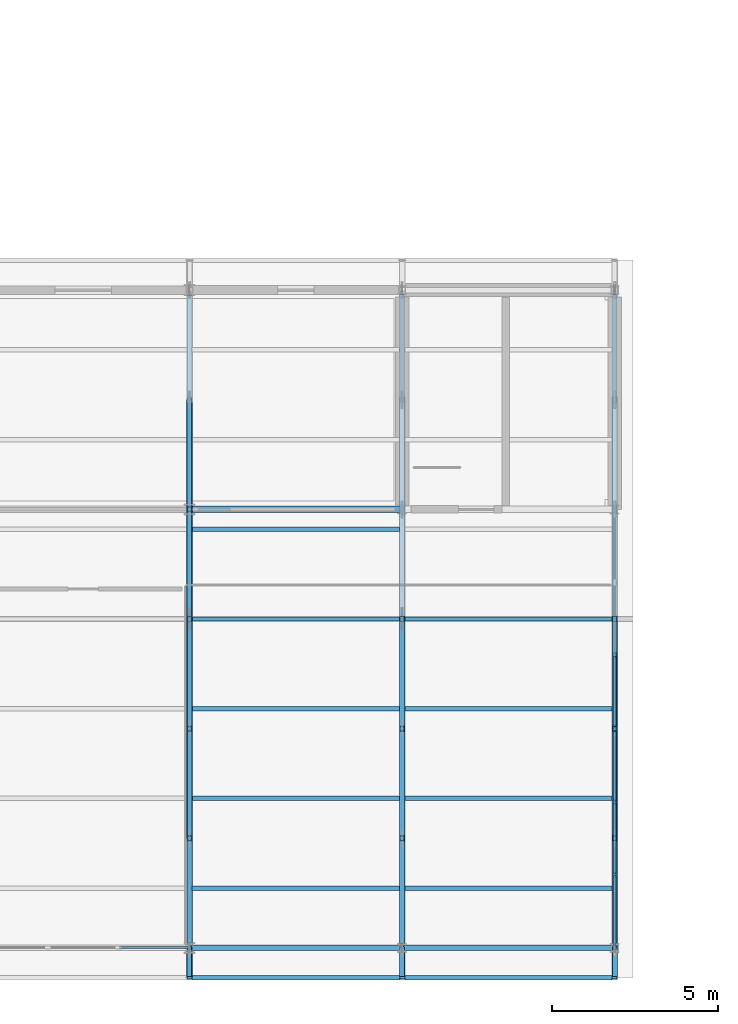
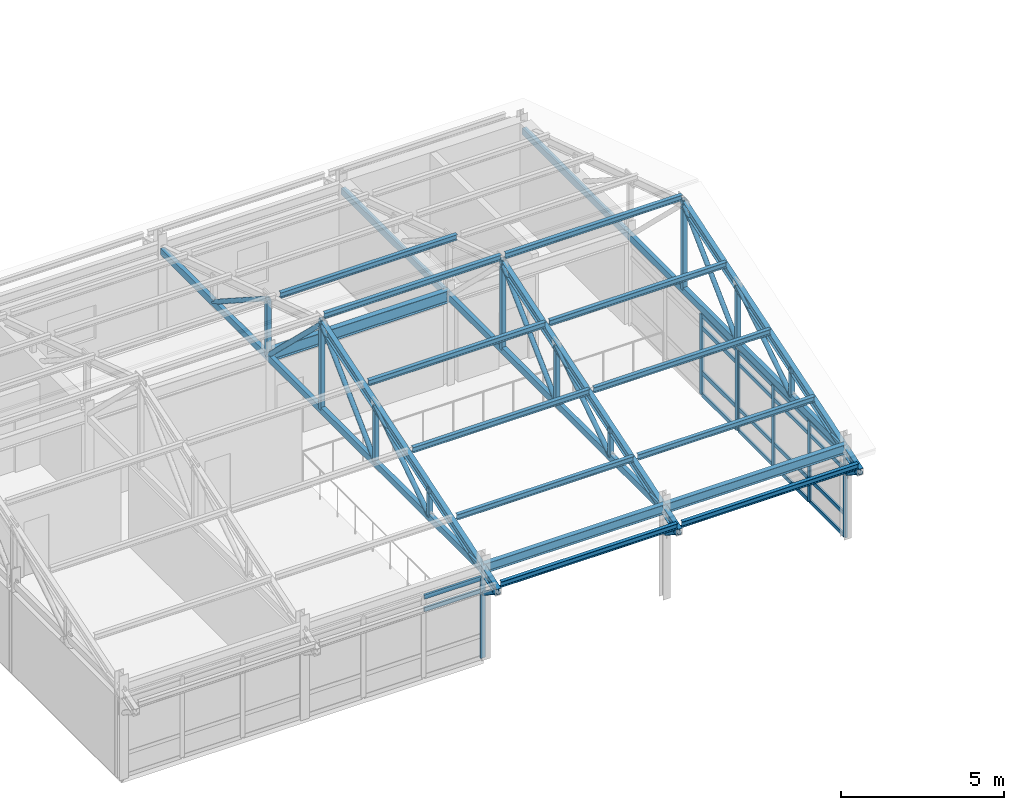
# One storey, part 14 of 57: 63 members, 3 beams, 3 elements without a shape of their own.
"""IFC4 building model written with IfcOpenShell, lengths in metres."""

from ifc_helpers import new_model, si_unit, direction, frame, origin, origin_2d, place, context, subcontext, project, spatial, rectangle, hollow_rectangle, hollow_circle, i_section, extrude, material, layer, layer_set, material_profile, profile_set, type_object, element, aggregate, save


model = new_model("IFC4")

# Units and contexts
model_context = context("Model", 3, precision=1e-05, world=origin(), true_north=direction((0.0, 1.0)))
body_context = subcontext(model_context, "Body", "Model", "MODEL_VIEW")
ifc_project = project(units=[si_unit("LENGTHUNIT", "METRE"), si_unit("AREAUNIT", "SQUARE_METRE"), si_unit("VOLUMEUNIT", "CUBIC_METRE"), si_unit("PLANEANGLEUNIT", "RADIAN"), si_unit("MASSUNIT", "GRAM", prefix="KILO")], contexts=[model_context])

# Site, building, storey
site_placement = place(None, origin())
site = spatial("IfcSite", under=ifc_project, at=site_placement, CompositionType="ELEMENT")
building_placement = place(site_placement, origin())
building = spatial("IfcBuilding", under=site, at=building_placement, Name="Trelmorton Wharf Fire Station", CompositionType="ELEMENT")
storey_placement = place(building_placement, frame((0.0, 0.0, 13.5)))
storey = spatial("IfcBuildingStorey", under=building, at=storey_placement, Name="L03", CompositionType="ELEMENT", Elevation=13.5)

# Beam
ifc_material_1 = material(Name="Steel Grade 350", Category="steel")
ifc_material_profile_1 = material_profile(ifc_material_1, i_section(OverallWidth=0.18994140625, OverallDepth=0.45703125, WebThickness=0.009033203125, FlangeThickness=0.014404296875, FilletRadius=0.011474609375, at=origin_2d()), Name="460UB74.6")
ifc_profile_set_1 = profile_set([ifc_material_profile_1], Name="Steel Grade 350")
beam_type_1 = type_object("IfcBeamType", Name="BM_460UB75", PredefinedType="BEAM", material=ifc_profile_set_1)
beam_1_placement = place(storey_placement, frame((70.803955078125, 21.0, 3.29150390625), z_axis=(1.0, 0.0, 0.0), x_axis=(0.0, 1.0, 0.0)))
element("IfcBeam", 1, at=beam_1_placement, inside=storey, type_object=beam_type_1, Name="BM-L03-0895", PredefinedType="BEAM", context=body_context, shape_type="SweptSolid", body=[
    extrude(i_section(OverallWidth=0.18994140625, OverallDepth=0.45703125, WebThickness=0.009033203125, FlangeThickness=0.014404296875, FilletRadius=0.011474609375, at=origin_2d()), origin(), (0.0, 0.0, 1.0), 6.39208984375),
])

# Curtain wall, members
ifc_material_2 = material(Name="Anodised aluminium AW-6063", Category="aluminium")
ifc_layer_1 = layer(ifc_material_2, 0.14990234375)
ifc_layer_set_1 = layer_set([ifc_layer_1], Name="Anodised aluminium AW-6063")
curtain_wall_type_1 = type_object("IfcCurtainWallType", Name="CW_UNIT_A", PredefinedType="USERDEFINED", material=ifc_layer_set_1)
curtain_wall_1_placement = place(storey_placement, origin())
curtain_wall_1 = element("IfcCurtainWall", 2, at=curtain_wall_1_placement, inside=storey, type_object=curtain_wall_type_1, Name="CW-V3-L03-027", ObjectType="UNITISED CURTAIN WALL", PredefinedType="USERDEFINED")
ifc_material_profile_2 = material_profile(ifc_material_2, rectangle(XDim=0.06494140625, YDim=0.159912109375, at=origin_2d()), Name="ALU-65x160")
ifc_profile_set_2 = profile_set([ifc_material_profile_2], Name="Anodised aluminium AW-6063")
member_type_1 = type_object("IfcMemberType", Name="CWM_65x160", PredefinedType="MULLION", material=ifc_profile_set_2)
member_1_placement = place(storey_placement, frame((83.60009765625, 14.364990234375, 0.0), z_axis=(0.0, 0.0, 1.0), x_axis=(1.0, 0.0, 0.0)))
member_1 = element("IfcMember", 3, at=member_1_placement, type_object=member_type_1, Name="CW3 mullion 1", PredefinedType="MULLION", context=body_context, shape_type="SweptSolid", body=[
    extrude(rectangle(XDim=0.06494140625, YDim=0.159912109375, at=origin_2d()), origin(), (0.0, 0.0, 1.0), 3.02001953125),
])
member_2_placement = place(storey_placement, frame((83.60009765625, 12.1982421875, 0.0), z_axis=(0.0, 0.0, 1.0), x_axis=(1.0, 0.0, 0.0)))
member_2 = element("IfcMember", 4, at=member_2_placement, type_object=member_type_1, Name="CW3 mullion 2", PredefinedType="MULLION", context=body_context, shape_type="SweptSolid", body=[
    extrude(rectangle(XDim=0.06494140625, YDim=0.159912109375, at=origin_2d()), origin(), (0.0, 0.0, 1.0), 3.02001953125),
])
member_3_placement = place(storey_placement, frame((83.60009765625, 10.001708984375, 0.0), z_axis=(0.0, 0.0, 1.0), x_axis=(1.0, 0.0, 0.0)))
member_3 = element("IfcMember", 5, at=member_3_placement, type_object=member_type_1, Name="CW3 mullion 3", PredefinedType="MULLION", context=body_context, shape_type="SweptSolid", body=[
    extrude(rectangle(XDim=0.06494140625, YDim=0.159912109375, at=origin_2d()), origin(), (0.0, 0.0, 1.0), 3.02001953125),
])
member_4_placement = place(storey_placement, frame((83.60009765625, 7.8349609375, 0.0), z_axis=(0.0, 0.0, 1.0), x_axis=(1.0, 0.0, 0.0)))
member_4 = element("IfcMember", 6, at=member_4_placement, type_object=member_type_1, Name="CW3 mullion 4", PredefinedType="MULLION", context=body_context, shape_type="SweptSolid", body=[
    extrude(rectangle(XDim=0.06494140625, YDim=0.159912109375, at=origin_2d()), origin(), (0.0, 0.0, 1.0), 3.02001953125),
])

# Curtain wall, member
ifc_layer_2 = layer(ifc_material_2, 0.159912109375)
ifc_layer_set_2 = layer_set([ifc_layer_2], Name="Anodised aluminium AW-6063")
curtain_wall_type_2 = type_object("IfcCurtainWallType", Name="CW_CHIC_A", PredefinedType="USERDEFINED", material=ifc_layer_set_2)
curtain_wall_2_placement = place(storey_placement, origin())
curtain_wall_2 = element("IfcCurtainWall", 7, at=curtain_wall_2_placement, inside=storey, type_object=curtain_wall_type_2, Name="CW-V3-L03-026", ObjectType="CHICAGO BAY CURTAIN WALL", PredefinedType="USERDEFINED")
ifc_material_profile_3 = material_profile(ifc_material_2, rectangle(XDim=0.074951171875, YDim=0.175048828125, at=origin_2d()), Name="ALU-75x175")
ifc_profile_set_3 = profile_set([ifc_material_profile_3], Name="Anodised aluminium AW-6063")
member_type_2 = type_object("IfcMemberType", Name="CWM_75x175", PredefinedType="MULLION", material=ifc_profile_set_3)
member_5_placement = place(storey_placement, frame((70.764892578125, 7.800048828125, 0.0), z_axis=(0.0, 0.0, 1.0), x_axis=(0.0, -1.0, 0.0)))
member_5 = element("IfcMember", 8, at=member_5_placement, type_object=member_type_2, Name="CW1 mullion 1", PredefinedType="MULLION", context=body_context, shape_type="SweptSolid", body=[
    extrude(rectangle(XDim=0.074951171875, YDim=0.175048828125, at=origin_2d()), origin(), (0.0, 0.0, 1.0), 3.02001953125),
])

# Curtain wall, members
curtain_wall_3_placement = place(storey_placement, origin())
curtain_wall_3 = element("IfcCurtainWall", 9, at=curtain_wall_3_placement, inside=storey, type_object=curtain_wall_type_1, Name="CW-V3-L03-028", ObjectType="UNITISED CURTAIN WALL", PredefinedType="USERDEFINED")
member_6_placement = place(storey_placement, frame((83.60009765625, 16.6015625, 0.0), z_axis=(0.0, 0.0, 1.0), x_axis=(1.0, 0.0, 0.0)))
member_6 = element("IfcMember", 10, at=member_6_placement, type_object=member_type_2, Name="CW3 mullion 3", PredefinedType="MULLION", context=body_context, shape_type="SweptSolid", body=[
    extrude(rectangle(XDim=0.074951171875, YDim=0.175048828125, at=origin_2d()), origin(), (0.0, 0.0, 1.0), 3.02001953125),
])
member_7_placement = place(storey_placement, frame((83.60009765625, 14.43505859375, 0.0), z_axis=(0.0, 0.0, 1.0), x_axis=(1.0, 0.0, 0.0)))
member_7 = element("IfcMember", 11, at=member_7_placement, type_object=member_type_2, Name="CW3 mullion 4", PredefinedType="MULLION", context=body_context, shape_type="SweptSolid", body=[
    extrude(rectangle(XDim=0.074951171875, YDim=0.175048828125, at=origin_2d()), origin(), (0.0, 0.0, 1.0), 3.02001953125),
])

# Member
ifc_material_profile_4 = material_profile(ifc_material_2, rectangle(XDim=0.06494140625, YDim=0.139892578125, at=origin_2d()), Name="ALU-65x140")
ifc_profile_set_4 = profile_set([ifc_material_profile_4], Name="Anodised aluminium AW-6063")
member_type_3 = type_object("IfcMemberType", Name="CWT_65x140", PredefinedType="USERDEFINED", material=ifc_profile_set_4)
member_8_placement = place(storey_placement, frame((83.60009765625, 14.3349609375, 0.030029296875), z_axis=(0.0, -1.0, 0.0), x_axis=(1.0, 0.0, 0.0)))
member_8 = element("IfcMember", 12, at=member_8_placement, type_object=member_type_3, Name="CW3 transom 1.1", ObjectType="TRANSOM", PredefinedType="USERDEFINED", context=body_context, shape_type="SweptSolid", body=[
    extrude(rectangle(XDim=0.06494140625, YDim=0.139892578125, at=origin_2d()), origin(), (0.0, 0.0, 1.0), 2.106689453125),
])

member_9_placement = place(storey_placement, frame((83.60009765625, 14.3349609375, 0.85009765625), z_axis=(0.0, -1.0, 0.0), x_axis=(1.0, 0.0, 0.0)))
member_9 = element("IfcMember", 13, at=member_9_placement, type_object=member_type_3, Name="CW3 transom 1.2", ObjectType="TRANSOM", PredefinedType="USERDEFINED", context=body_context, shape_type="SweptSolid", body=[
    extrude(rectangle(XDim=0.06494140625, YDim=0.139892578125, at=origin_2d()), origin(), (0.0, 0.0, 1.0), 2.106689453125),
])

member_10_placement = place(storey_placement, frame((83.60009765625, 14.3349609375, 2.52001953125), z_axis=(0.0, -1.0, 0.0), x_axis=(1.0, 0.0, 0.0)))
member_10 = element("IfcMember", 14, at=member_10_placement, type_object=member_type_3, Name="CW3 transom 1.3", ObjectType="TRANSOM", PredefinedType="USERDEFINED", context=body_context, shape_type="SweptSolid", body=[
    extrude(rectangle(XDim=0.06494140625, YDim=0.139892578125, at=origin_2d()), origin(), (0.0, 0.0, 1.0), 2.106689453125),
])

member_11_placement = place(storey_placement, frame((83.60009765625, 14.3349609375, 2.989990234375), z_axis=(0.0, -1.0, 0.0), x_axis=(1.0, 0.0, 0.0)))
member_11 = element("IfcMember", 15, at=member_11_placement, type_object=member_type_3, Name="CW3 transom 1.4", ObjectType="TRANSOM", PredefinedType="USERDEFINED", context=body_context, shape_type="SweptSolid", body=[
    extrude(rectangle(XDim=0.06494140625, YDim=0.139892578125, at=origin_2d()), origin(), (0.0, 0.0, 1.0), 2.106689453125),
])

member_12_placement = place(storey_placement, frame((83.60009765625, 12.168212890625, 0.030029296875), z_axis=(0.0, -1.0, 0.0), x_axis=(1.0, 0.0, 0.0)))
member_12 = element("IfcMember", 16, at=member_12_placement, type_object=member_type_3, Name="CW3 transom 2.1", ObjectType="TRANSOM", PredefinedType="USERDEFINED", context=body_context, shape_type="SweptSolid", body=[
    extrude(rectangle(XDim=0.06494140625, YDim=0.139892578125, at=origin_2d()), origin(), (0.0, 0.0, 1.0), 2.136474609375),
])

member_13_placement = place(storey_placement, frame((83.60009765625, 12.168212890625, 0.85009765625), z_axis=(0.0, -1.0, 0.0), x_axis=(1.0, 0.0, 0.0)))
member_13 = element("IfcMember", 17, at=member_13_placement, type_object=member_type_3, Name="CW3 transom 2.2", ObjectType="TRANSOM", PredefinedType="USERDEFINED", context=body_context, shape_type="SweptSolid", body=[
    extrude(rectangle(XDim=0.06494140625, YDim=0.139892578125, at=origin_2d()), origin(), (0.0, 0.0, 1.0), 2.136474609375),
])

member_14_placement = place(storey_placement, frame((83.60009765625, 12.168212890625, 2.52001953125), z_axis=(0.0, -1.0, 0.0), x_axis=(1.0, 0.0, 0.0)))
member_14 = element("IfcMember", 18, at=member_14_placement, type_object=member_type_3, Name="CW3 transom 2.3", ObjectType="TRANSOM", PredefinedType="USERDEFINED", context=body_context, shape_type="SweptSolid", body=[
    extrude(rectangle(XDim=0.06494140625, YDim=0.139892578125, at=origin_2d()), origin(), (0.0, 0.0, 1.0), 2.136474609375),
])

member_15_placement = place(storey_placement, frame((83.60009765625, 12.168212890625, 2.989990234375), z_axis=(0.0, -1.0, 0.0), x_axis=(1.0, 0.0, 0.0)))
member_15 = element("IfcMember", 19, at=member_15_placement, type_object=member_type_3, Name="CW3 transom 2.4", ObjectType="TRANSOM", PredefinedType="USERDEFINED", context=body_context, shape_type="SweptSolid", body=[
    extrude(rectangle(XDim=0.06494140625, YDim=0.139892578125, at=origin_2d()), origin(), (0.0, 0.0, 1.0), 2.136474609375),
])

member_16_placement = place(storey_placement, frame((83.60009765625, 9.9716796875, 0.030029296875), z_axis=(0.0, -1.0, 0.0), x_axis=(1.0, 0.0, 0.0)))
member_16 = element("IfcMember", 20, at=member_16_placement, type_object=member_type_3, Name="CW3 transom 3.1", ObjectType="TRANSOM", PredefinedType="USERDEFINED", context=body_context, shape_type="SweptSolid", body=[
    extrude(rectangle(XDim=0.06494140625, YDim=0.139892578125, at=origin_2d()), origin(), (0.0, 0.0, 1.0), 2.106689453125),
])

member_17_placement = place(storey_placement, frame((83.60009765625, 9.9716796875, 0.85009765625), z_axis=(0.0, -1.0, 0.0), x_axis=(1.0, 0.0, 0.0)))
member_17 = element("IfcMember", 21, at=member_17_placement, type_object=member_type_3, Name="CW3 transom 3.2", ObjectType="TRANSOM", PredefinedType="USERDEFINED", context=body_context, shape_type="SweptSolid", body=[
    extrude(rectangle(XDim=0.06494140625, YDim=0.139892578125, at=origin_2d()), origin(), (0.0, 0.0, 1.0), 2.106689453125),
])

member_18_placement = place(storey_placement, frame((83.60009765625, 9.9716796875, 2.52001953125), z_axis=(0.0, -1.0, 0.0), x_axis=(1.0, 0.0, 0.0)))
member_18 = element("IfcMember", 22, at=member_18_placement, type_object=member_type_3, Name="CW3 transom 3.3", ObjectType="TRANSOM", PredefinedType="USERDEFINED", context=body_context, shape_type="SweptSolid", body=[
    extrude(rectangle(XDim=0.06494140625, YDim=0.139892578125, at=origin_2d()), origin(), (0.0, 0.0, 1.0), 2.106689453125),
])

member_19_placement = place(storey_placement, frame((83.60009765625, 9.9716796875, 2.989990234375), z_axis=(0.0, -1.0, 0.0), x_axis=(1.0, 0.0, 0.0)))
member_19 = element("IfcMember", 23, at=member_19_placement, type_object=member_type_3, Name="CW3 transom 3.4", ObjectType="TRANSOM", PredefinedType="USERDEFINED", context=body_context, shape_type="SweptSolid", body=[
    extrude(rectangle(XDim=0.06494140625, YDim=0.139892578125, at=origin_2d()), origin(), (0.0, 0.0, 1.0), 2.106689453125),
])

aggregate(curtain_wall_1, [member_1, member_2, member_3, member_4, member_8, member_9, member_10, member_11, member_12, member_13, member_14, member_15, member_16, member_17, member_18, member_19])

ifc_material_profile_5 = material_profile(ifc_material_2, rectangle(XDim=0.074951171875, YDim=0.155029296875, at=origin_2d()), Name="ALU-75x155")
ifc_profile_set_5 = profile_set([ifc_material_profile_5], Name="Anodised aluminium AW-6063")
member_type_4 = type_object("IfcMemberType", Name="CWT_75x155", PredefinedType="USERDEFINED", material=ifc_profile_set_5)
member_20_placement = place(storey_placement, frame((70.735107421875, 7.800048828125, 2.52001953125), z_axis=(-1.0, 0.0, 0.0), x_axis=(0.0, -1.0, 0.0)))
member_20 = element("IfcMember", 24, at=member_20_placement, type_object=member_type_4, Name="CW1 transom 1.3", ObjectType="TRANSOM", PredefinedType="USERDEFINED", context=body_context, shape_type="SweptSolid", body=[
    extrude(rectangle(XDim=0.074951171875, YDim=0.155029296875, at=origin_2d()), origin(), (0.0, 0.0, 1.0), 2.0400390625),
])

member_21_placement = place(storey_placement, frame((70.735107421875, 7.800048828125, 2.989990234375), z_axis=(-1.0, 0.0, 0.0), x_axis=(0.0, -1.0, 0.0)))
member_21 = element("IfcMember", 25, at=member_21_placement, type_object=member_type_4, Name="CW1 transom 1.4", ObjectType="TRANSOM", PredefinedType="USERDEFINED", context=body_context, shape_type="SweptSolid", body=[
    extrude(rectangle(XDim=0.074951171875, YDim=0.155029296875, at=origin_2d()), origin(), (0.0, 0.0, 1.0), 2.0400390625),
])

aggregate(curtain_wall_2, [member_5, member_20, member_21])

member_22_placement = place(storey_placement, frame((83.60009765625, 16.57177734375, 0.030029296875), z_axis=(0.0, -1.0, 0.0), x_axis=(1.0, 0.0, 0.0)))
member_22 = element("IfcMember", 26, at=member_22_placement, type_object=member_type_4, Name="CW3 transom 3.1", ObjectType="TRANSOM", PredefinedType="USERDEFINED", context=body_context, shape_type="SweptSolid", body=[
    extrude(rectangle(XDim=0.074951171875, YDim=0.155029296875, at=origin_2d()), origin(), (0.0, 0.0, 1.0), 2.106689453125),
])

member_23_placement = place(storey_placement, frame((83.60009765625, 16.57177734375, 0.85009765625), z_axis=(0.0, -1.0, 0.0), x_axis=(1.0, 0.0, 0.0)))
member_23 = element("IfcMember", 27, at=member_23_placement, type_object=member_type_4, Name="CW3 transom 3.2", ObjectType="TRANSOM", PredefinedType="USERDEFINED", context=body_context, shape_type="SweptSolid", body=[
    extrude(rectangle(XDim=0.074951171875, YDim=0.155029296875, at=origin_2d()), origin(), (0.0, 0.0, 1.0), 2.106689453125),
])

member_24_placement = place(storey_placement, frame((83.60009765625, 16.57177734375, 2.52001953125), z_axis=(0.0, -1.0, 0.0), x_axis=(1.0, 0.0, 0.0)))
member_24 = element("IfcMember", 28, at=member_24_placement, type_object=member_type_4, Name="CW3 transom 3.3", ObjectType="TRANSOM", PredefinedType="USERDEFINED", context=body_context, shape_type="SweptSolid", body=[
    extrude(rectangle(XDim=0.074951171875, YDim=0.155029296875, at=origin_2d()), origin(), (0.0, 0.0, 1.0), 2.106689453125),
])

member_25_placement = place(storey_placement, frame((83.60009765625, 16.57177734375, 2.989990234375), z_axis=(0.0, -1.0, 0.0), x_axis=(1.0, 0.0, 0.0)))
member_25 = element("IfcMember", 29, at=member_25_placement, type_object=member_type_4, Name="CW3 transom 3.4", ObjectType="TRANSOM", PredefinedType="USERDEFINED", context=body_context, shape_type="SweptSolid", body=[
    extrude(rectangle(XDim=0.074951171875, YDim=0.155029296875, at=origin_2d()), origin(), (0.0, 0.0, 1.0), 2.106689453125),
])

aggregate(curtain_wall_3, [member_6, member_7, member_22, member_23, member_24, member_25])

# Members
ifc_material_3 = material(Name="Steel Grade 300 (300 MPa)", Category="steel")
ifc_material_profile_6 = material_profile(ifc_material_3, i_section(OverallWidth=0.134033203125, OverallDepth=0.20703125, WebThickness=0.00634765625, FlangeThickness=0.009521484375, FilletRadius=0.0087890625, at=origin_2d()), Name="200UB29.8")
ifc_profile_set_6 = profile_set([ifc_material_profile_6], Name="Steel Grade 300 (300 MPa)")
member_type_5 = type_object("IfcMemberType", Name="PR_200UB30", PredefinedType="PURLIN", material=ifc_profile_set_6)
for number, where, z_axis, x_axis, name in (
    (30, (70.8798828125, 6.89990234375, 3.255126953125), (1.0, 0.0, 0.0), (0.0, 1.0, 0.0), "V3-PR-B03-S0"),
    (31, (70.8798828125, 9.60009765625, 4.127685546875), (1.0, 0.0, 0.0), (0.0, 1.0, 0.0), "V3-PR-B03-S1"),
    (32, (70.8798828125, 12.300048828125, 5.00048828125), (1.0, 0.0, 0.0), (0.0, 1.0, 0.0), "V3-PR-B03-S2"),
    (33, (70.8798828125, 15.0, 5.873291015625), (1.0, 0.0, 0.0), (0.0, 1.0, 0.0), "V3-PR-B03-S3"),
    (34, (70.8798828125, 17.699951171875, 6.74609375), (1.0, 0.0, 0.0), (0.0, 1.0, 0.0), "V3-PR-B03-S4"),
    (35, (70.8798828125, 20.39990234375, 5.873291015625), (1.0, 0.0, 0.0), (0.0, 1.0, 0.0), "V3-PR-B03-N1"),
):
    element("IfcMember", number, at=place(storey_placement, frame(where, z_axis=z_axis, x_axis=x_axis)), inside=storey, type_object=member_type_5, Name=name, PredefinedType="PURLIN", context=body_context, shape_type="SweptSolid", body=[
        extrude(i_section(OverallWidth=0.134033203125, OverallDepth=0.20703125, WebThickness=0.00634765625, FlangeThickness=0.009521484375, FilletRadius=0.0087890625, at=origin_2d()), origin(), (0.0, 0.0, 1.0), 6.240234375),
    ])
for number, where, z_axis, x_axis, name in (
    (36, (77.280029296875, 6.89990234375, 3.255126953125), (1.0, 0.0, 0.0), (0.0, 1.0, 0.0), "V3-PR-B04-S0"),
    (37, (77.280029296875, 9.60009765625, 4.127685546875), (1.0, 0.0, 0.0), (0.0, 1.0, 0.0), "V3-PR-B04-S1"),
    (38, (77.280029296875, 12.300048828125, 5.00048828125), (1.0, 0.0, 0.0), (0.0, 1.0, 0.0), "V3-PR-B04-S2"),
    (39, (77.280029296875, 15.0, 5.873291015625), (1.0, 0.0, 0.0), (0.0, 1.0, 0.0), "V3-PR-B04-S3"),
    (40, (77.280029296875, 17.699951171875, 6.74609375), (1.0, 0.0, 0.0), (0.0, 1.0, 0.0), "V3-PR-B04-S4"),
):
    element("IfcMember", number, at=place(storey_placement, frame(where, z_axis=z_axis, x_axis=x_axis)), inside=storey, type_object=member_type_5, Name=name, PredefinedType="PURLIN", context=body_context, shape_type="SweptSolid", body=[
        extrude(i_section(OverallWidth=0.134033203125, OverallDepth=0.20703125, WebThickness=0.00634765625, FlangeThickness=0.009521484375, FilletRadius=0.0087890625, at=origin_2d()), origin(), (0.0, 0.0, 1.0), 6.239990234375),
    ])

# Beams
ifc_material_profile_7 = material_profile(ifc_material_1, i_section(OverallWidth=0.1708984375, OverallDepth=0.35595703125, WebThickness=0.00732421875, FlangeThickness=0.011474609375, FilletRadius=0.011474609375, at=origin_2d()), Name="360UB50.7")
ifc_profile_set_7 = profile_set([ifc_material_profile_7], Name="Steel Grade 350")
beam_type_2 = type_object("IfcBeamType", Name="SP_360UB51", PredefinedType="SPANDREL", material=ifc_profile_set_7)
beam_2_placement = place(storey_placement, frame((70.803955078125, 7.800048828125, 3.342041015625), z_axis=(1.0, 0.0, 0.0), x_axis=(0.0, 1.0, 0.0)))
element("IfcBeam", 41, at=beam_2_placement, inside=storey, type_object=beam_type_2, Name="BM-L03-0875", PredefinedType="SPANDREL", context=body_context, shape_type="SweptSolid", body=[
    extrude(i_section(OverallWidth=0.1708984375, OverallDepth=0.35595703125, WebThickness=0.00732421875, FlangeThickness=0.011474609375, FilletRadius=0.011474609375, at=origin_2d()), origin(), (0.0, 0.0, 1.0), 6.39208984375),
])
beam_3_placement = place(storey_placement, frame((77.2041015625, 7.800048828125, 3.342041015625), z_axis=(1.0, 0.0, 0.0), x_axis=(0.0, 1.0, 0.0)))
element("IfcBeam", 42, at=beam_3_placement, inside=storey, type_object=beam_type_2, Name="BM-L03-0876", PredefinedType="SPANDREL", context=body_context, shape_type="SweptSolid", body=[
    extrude(i_section(OverallWidth=0.1708984375, OverallDepth=0.35595703125, WebThickness=0.00732421875, FlangeThickness=0.011474609375, FilletRadius=0.011474609375, at=origin_2d()), origin(), (0.0, 0.0, 1.0), 6.391845703125),
])

# Members
ifc_material_4 = material(Name="Steel C350L0 (350 MPa)", Category="steel")
ifc_material_profile_8 = material_profile(ifc_material_4, hollow_rectangle(XDim=0.14990234375, YDim=0.25, WallThickness=0.009033203125, at=origin_2d()), Name="250x150x9.0RHS")
ifc_profile_set_8 = profile_set([ifc_material_profile_8], Name="Steel C350L0 (350 MPa)")
member_type_6 = type_object("IfcMemberType", Name="TR_CHORD_250RHS", PredefinedType="CHORD", material=ifc_profile_set_8)
member_26_placement = place(storey_placement, frame((70.800048828125, 7.95361328125, 3.265869140625), z_axis=(0.0, 1.0, 0.0), x_axis=(-1.0, 0.0, 0.0)))
element("IfcMember", 43, at=member_26_placement, inside=storey, type_object=member_type_6, Name="V3-TR03-BC", PredefinedType="CHORD", context=body_context, shape_type="SweptSolid", body=[
    extrude(hollow_rectangle(XDim=0.14990234375, YDim=0.25, WallThickness=0.009033203125, at=origin_2d()), origin(), (0.0, 0.0, 1.0), 19.492919921875),
])
for number, where, z_axis, x_axis, name in (
    (44, (77.199951171875, 7.926025390625, 3.265869140625), (0.0, 1.0, 0.0), (-1.0, 0.0, 0.0), "V3-TR04-BC"),
    (45, (83.60009765625, 7.926025390625, 3.265869140625), (0.0, 1.0, 0.0), (-1.0, 0.0, 0.0), "V3-TR05-BC"),
):
    element("IfcMember", number, at=place(storey_placement, frame(where, z_axis=z_axis, x_axis=x_axis)), inside=storey, type_object=member_type_6, Name=name, PredefinedType="CHORD", context=body_context, shape_type="SweptSolid", body=[
        extrude(hollow_rectangle(XDim=0.14990234375, YDim=0.25, WallThickness=0.009033203125, at=origin_2d()), origin(), (0.0, 0.0, 1.0), 19.548095703125),
    ])
ifc_material_profile_9 = material_profile(ifc_material_4, hollow_circle(Radius=0.084228515625, WallThickness=0.007080078125, at=origin_2d()), Name="168.3x7.1CHS")
ifc_profile_set_9 = profile_set([ifc_material_profile_9], Name="Steel C350L0 (350 MPa)")
member_type_7 = type_object("IfcMemberType", Name="TR_DIAG_168CHS", PredefinedType="STRUT", material=ifc_profile_set_9)
member_27_placement = place(storey_placement, frame((70.800048828125, 7.800048828125, 2.39990234375), z_axis=(0.0, -0.84265305231, 0.538456900256), x_axis=(1.0, 0.0, 0.0)))
element("IfcMember", 46, at=member_27_placement, inside=storey, type_object=member_type_7, Name="V3-TR03-EAV-S", PredefinedType="STRUT", context=body_context, shape_type="SweptSolid", body=[
    extrude(hollow_circle(Radius=0.084228515625, WallThickness=0.007080078125, at=origin_2d()), origin(), (0.0, 0.0, 1.0), 1.068115234375),
])
member_28_placement = place(storey_placement, frame((70.800048828125, 11.10009765625, 3.265869140625), z_axis=(0.0, 0.839786797403, 0.542916324039), x_axis=(-1.0, 0.0, 0.0)))
element("IfcMember", 47, at=member_28_placement, inside=storey, type_object=member_type_7, Name="V3-TR03-DG-S1", PredefinedType="STRUT", context=body_context, shape_type="SweptSolid", body=[
    extrude(hollow_circle(Radius=0.084228515625, WallThickness=0.007080078125, at=origin_2d()), origin(), (0.0, 0.0, 1.0), 3.929443359375),
])
member_29_placement = place(storey_placement, frame((70.800048828125, 14.39990234375, 3.265869140625), z_axis=(0.0, 0.717910849815, 0.696135052787), x_axis=(-1.0, 0.0, 0.0)))
element("IfcMember", 48, at=member_29_placement, inside=storey, type_object=member_type_7, Name="V3-TR03-DG-S2", PredefinedType="STRUT", context=body_context, shape_type="SweptSolid", body=[
    extrude(hollow_circle(Radius=0.084228515625, WallThickness=0.007080078125, at=origin_2d()), origin(), (0.0, 0.0, 1.0), 4.5966796875),
])
member_30_placement = place(storey_placement, frame((70.800048828125, 24.300048828125, 3.265869140625), z_axis=(0.0, -0.839805110115, 0.542887996759), x_axis=(1.0, 0.0, 0.0)))
element("IfcMember", 49, at=member_30_placement, inside=storey, type_object=member_type_7, Name="V3-TR03-DG-N1", PredefinedType="STRUT", context=body_context, shape_type="SweptSolid", body=[
    extrude(hollow_circle(Radius=0.084228515625, WallThickness=0.007080078125, at=origin_2d()), origin(), (0.0, 0.0, 1.0), 3.929443359375),
])
member_31_placement = place(storey_placement, frame((70.800048828125, 21.0, 3.265869140625), z_axis=(0.0, -0.717910849815, 0.696135052787), x_axis=(1.0, 0.0, 0.0)))
element("IfcMember", 50, at=member_31_placement, inside=storey, type_object=member_type_7, Name="V3-TR03-DG-N2", PredefinedType="STRUT", context=body_context, shape_type="SweptSolid", body=[
    extrude(hollow_circle(Radius=0.084228515625, WallThickness=0.007080078125, at=origin_2d()), origin(), (0.0, 0.0, 1.0), 4.5966796875),
])
member_32_placement = place(storey_placement, frame((77.199951171875, 7.800048828125, 2.39990234375), z_axis=(0.0, -0.84265305231, 0.538456900256), x_axis=(1.0, 0.0, 0.0)))
element("IfcMember", 51, at=member_32_placement, inside=storey, type_object=member_type_7, Name="V3-TR04-EAV-S", PredefinedType="STRUT", context=body_context, shape_type="SweptSolid", body=[
    extrude(hollow_circle(Radius=0.084228515625, WallThickness=0.007080078125, at=origin_2d()), origin(), (0.0, 0.0, 1.0), 1.068115234375),
])
member_33_placement = place(storey_placement, frame((77.199951171875, 11.10009765625, 3.265869140625), z_axis=(0.0, 0.839786797403, 0.542916324039), x_axis=(-1.0, 0.0, 0.0)))
element("IfcMember", 52, at=member_33_placement, inside=storey, type_object=member_type_7, Name="V3-TR04-DG-S1", PredefinedType="STRUT", context=body_context, shape_type="SweptSolid", body=[
    extrude(hollow_circle(Radius=0.084228515625, WallThickness=0.007080078125, at=origin_2d()), origin(), (0.0, 0.0, 1.0), 3.929443359375),
])
member_34_placement = place(storey_placement, frame((77.199951171875, 14.39990234375, 3.265869140625), z_axis=(0.0, 0.717910849815, 0.696135052787), x_axis=(-1.0, 0.0, 0.0)))
element("IfcMember", 53, at=member_34_placement, inside=storey, type_object=member_type_7, Name="V3-TR04-DG-S2", PredefinedType="STRUT", context=body_context, shape_type="SweptSolid", body=[
    extrude(hollow_circle(Radius=0.084228515625, WallThickness=0.007080078125, at=origin_2d()), origin(), (0.0, 0.0, 1.0), 4.5966796875),
])
member_35_placement = place(storey_placement, frame((83.60009765625, 7.800048828125, 2.39990234375), z_axis=(0.0, -0.84265305231, 0.538456900256), x_axis=(1.0, 0.0, 0.0)))
element("IfcMember", 54, at=member_35_placement, inside=storey, type_object=member_type_7, Name="V3-TR05-EAV-S", PredefinedType="STRUT", context=body_context, shape_type="SweptSolid", body=[
    extrude(hollow_circle(Radius=0.084228515625, WallThickness=0.007080078125, at=origin_2d()), origin(), (0.0, 0.0, 1.0), 1.068115234375),
])
member_36_placement = place(storey_placement, frame((83.60009765625, 11.10009765625, 3.265869140625), z_axis=(0.0, 0.839786797403, 0.542916324039), x_axis=(-1.0, 0.0, 0.0)))
element("IfcMember", 55, at=member_36_placement, inside=storey, type_object=member_type_7, Name="V3-TR05-DG-S1", PredefinedType="STRUT", context=body_context, shape_type="SweptSolid", body=[
    extrude(hollow_circle(Radius=0.084228515625, WallThickness=0.007080078125, at=origin_2d()), origin(), (0.0, 0.0, 1.0), 3.929443359375),
])
member_37_placement = place(storey_placement, frame((83.60009765625, 14.39990234375, 3.265869140625), z_axis=(0.0, 0.717910849815, 0.696135052787), x_axis=(-1.0, 0.0, 0.0)))
element("IfcMember", 56, at=member_37_placement, inside=storey, type_object=member_type_7, Name="V3-TR05-DG-S2", PredefinedType="STRUT", context=body_context, shape_type="SweptSolid", body=[
    extrude(hollow_circle(Radius=0.084228515625, WallThickness=0.007080078125, at=origin_2d()), origin(), (0.0, 0.0, 1.0), 4.5966796875),
])
ifc_material_profile_10 = material_profile(ifc_material_4, hollow_rectangle(XDim=0.14990234375, YDim=0.14990234375, WallThickness=0.009033203125, at=origin_2d()), Name="150x150x9.0SHS")
ifc_profile_set_10 = profile_set([ifc_material_profile_10], Name="Steel C350L0 (350 MPa)")
member_type_8 = type_object("IfcMemberType", Name="TR_POST_150SHS", PredefinedType="POST", material=ifc_profile_set_10)
member_38_placement = place(storey_placement, frame((70.800048828125, 17.699951171875, 3.265869140625), z_axis=(0.0, 0.0, 1.0), x_axis=(1.0, 0.0, 0.0)))
element("IfcMember", 57, at=member_38_placement, inside=storey, type_object=member_type_8, Name="V3-TR03-KP", PredefinedType="POST", context=body_context, shape_type="SweptSolid", body=[
    extrude(hollow_rectangle(XDim=0.14990234375, YDim=0.14990234375, WallThickness=0.009033203125, at=origin_2d()), origin(), (0.0, 0.0, 1.0), 3.380615234375),
])
member_39_placement = place(storey_placement, frame((70.800048828125, 11.10009765625, 3.265869140625), z_axis=(0.0, 0.0, 1.0), x_axis=(1.0, 0.0, 0.0)))
element("IfcMember", 58, at=member_39_placement, inside=storey, type_object=member_type_8, Name="V3-TR03-VP-S1", PredefinedType="POST", context=body_context, shape_type="SweptSolid", body=[
    extrude(hollow_rectangle(XDim=0.14990234375, YDim=0.14990234375, WallThickness=0.009033203125, at=origin_2d()), origin(), (0.0, 0.0, 1.0), 1.066650390625),
])
for number, where, z_axis, x_axis, name in (
    (59, (70.800048828125, 14.39990234375, 3.265869140625), (0.0, 0.0, 1.0), (1.0, 0.0, 0.0), "V3-TR03-VP-S2"),
    (60, (70.800048828125, 21.0, 3.265869140625), (0.0, 0.0, 1.0), (1.0, 0.0, 0.0), "V3-TR03-VP-N2"),
):
    element("IfcMember", number, at=place(storey_placement, frame(where, z_axis=z_axis, x_axis=x_axis)), inside=storey, type_object=member_type_8, Name=name, PredefinedType="POST", context=body_context, shape_type="SweptSolid", body=[
        extrude(hollow_rectangle(XDim=0.14990234375, YDim=0.14990234375, WallThickness=0.009033203125, at=origin_2d()), origin(), (0.0, 0.0, 1.0), 2.13330078125),
    ])
member_40_placement = place(storey_placement, frame((77.199951171875, 17.699951171875, 3.265869140625), z_axis=(0.0, 0.0, 1.0), x_axis=(1.0, 0.0, 0.0)))
element("IfcMember", 61, at=member_40_placement, inside=storey, type_object=member_type_8, Name="V3-TR04-KP", PredefinedType="POST", context=body_context, shape_type="SweptSolid", body=[
    extrude(hollow_rectangle(XDim=0.14990234375, YDim=0.14990234375, WallThickness=0.009033203125, at=origin_2d()), origin(), (0.0, 0.0, 1.0), 3.380615234375),
])
member_41_placement = place(storey_placement, frame((77.199951171875, 11.10009765625, 3.265869140625), z_axis=(0.0, 0.0, 1.0), x_axis=(1.0, 0.0, 0.0)))
element("IfcMember", 62, at=member_41_placement, inside=storey, type_object=member_type_8, Name="V3-TR04-VP-S1", PredefinedType="POST", context=body_context, shape_type="SweptSolid", body=[
    extrude(hollow_rectangle(XDim=0.14990234375, YDim=0.14990234375, WallThickness=0.009033203125, at=origin_2d()), origin(), (0.0, 0.0, 1.0), 1.066650390625),
])
member_42_placement = place(storey_placement, frame((77.199951171875, 14.39990234375, 3.265869140625), z_axis=(0.0, 0.0, 1.0), x_axis=(1.0, 0.0, 0.0)))
element("IfcMember", 63, at=member_42_placement, inside=storey, type_object=member_type_8, Name="V3-TR04-VP-S2", PredefinedType="POST", context=body_context, shape_type="SweptSolid", body=[
    extrude(hollow_rectangle(XDim=0.14990234375, YDim=0.14990234375, WallThickness=0.009033203125, at=origin_2d()), origin(), (0.0, 0.0, 1.0), 2.13330078125),
])
member_43_placement = place(storey_placement, frame((83.60009765625, 17.699951171875, 3.265869140625), z_axis=(0.0, 0.0, 1.0), x_axis=(1.0, 0.0, 0.0)))
element("IfcMember", 64, at=member_43_placement, inside=storey, type_object=member_type_8, Name="V3-TR05-KP", PredefinedType="POST", context=body_context, shape_type="SweptSolid", body=[
    extrude(hollow_rectangle(XDim=0.14990234375, YDim=0.14990234375, WallThickness=0.009033203125, at=origin_2d()), origin(), (0.0, 0.0, 1.0), 3.380615234375),
])
member_44_placement = place(storey_placement, frame((83.60009765625, 11.10009765625, 3.265869140625), z_axis=(0.0, 0.0, 1.0), x_axis=(1.0, 0.0, 0.0)))
element("IfcMember", 65, at=member_44_placement, inside=storey, type_object=member_type_8, Name="V3-TR05-VP-S1", PredefinedType="POST", context=body_context, shape_type="SweptSolid", body=[
    extrude(hollow_rectangle(XDim=0.14990234375, YDim=0.14990234375, WallThickness=0.009033203125, at=origin_2d()), origin(), (0.0, 0.0, 1.0), 1.066650390625),
])
member_45_placement = place(storey_placement, frame((83.60009765625, 14.39990234375, 3.265869140625), z_axis=(0.0, 0.0, 1.0), x_axis=(1.0, 0.0, 0.0)))
element("IfcMember", 66, at=member_45_placement, inside=storey, type_object=member_type_8, Name="V3-TR05-VP-S2", PredefinedType="POST", context=body_context, shape_type="SweptSolid", body=[
    extrude(hollow_rectangle(XDim=0.14990234375, YDim=0.14990234375, WallThickness=0.009033203125, at=origin_2d()), origin(), (0.0, 0.0, 1.0), 2.13330078125),
])
ifc_material_profile_11 = material_profile(ifc_material_1, i_section(OverallWidth=0.166015625, OverallDepth=0.306884765625, WebThickness=0.006591796875, FlangeThickness=0.01171875, FilletRadius=0.011474609375, at=origin_2d()), Name="310UB46.2")
ifc_profile_set_11 = profile_set([ifc_material_profile_11], Name="Steel Grade 350")
member_type_9 = type_object("IfcMemberType", Name="TR_RAFT_310UB", PredefinedType="RAFTER", material=ifc_profile_set_11)
for number, where, z_axis, x_axis, name in (
    (67, (70.800048828125, 6.89990234375, 2.97509765625), (0.0, 0.951532489935, 0.30754824109), (-1.0, 0.0, 0.0), "V3-TR03-RFS"),
    (68, (77.199951171875, 6.89990234375, 2.97509765625), (0.0, 0.951532489935, 0.30754824109), (-1.0, 0.0, 0.0), "V3-TR04-RFS"),
    (69, (83.60009765625, 6.89990234375, 2.97509765625), (0.0, 0.951532489935, 0.30754824109), (-1.0, 0.0, 0.0), "V3-TR05-RFS"),
):
    element("IfcMember", number, at=place(storey_placement, frame(where, z_axis=z_axis, x_axis=x_axis)), inside=storey, type_object=member_type_9, Name=name, PredefinedType="RAFTER", context=body_context, shape_type="SweptSolid", body=[
        extrude(i_section(OverallWidth=0.166015625, OverallDepth=0.306884765625, WebThickness=0.006591796875, FlangeThickness=0.01171875, FilletRadius=0.011474609375, at=origin_2d()), origin(), (0.0, 0.0, 1.0), 11.35009765625),
    ])

save(model, "model.ifc")
